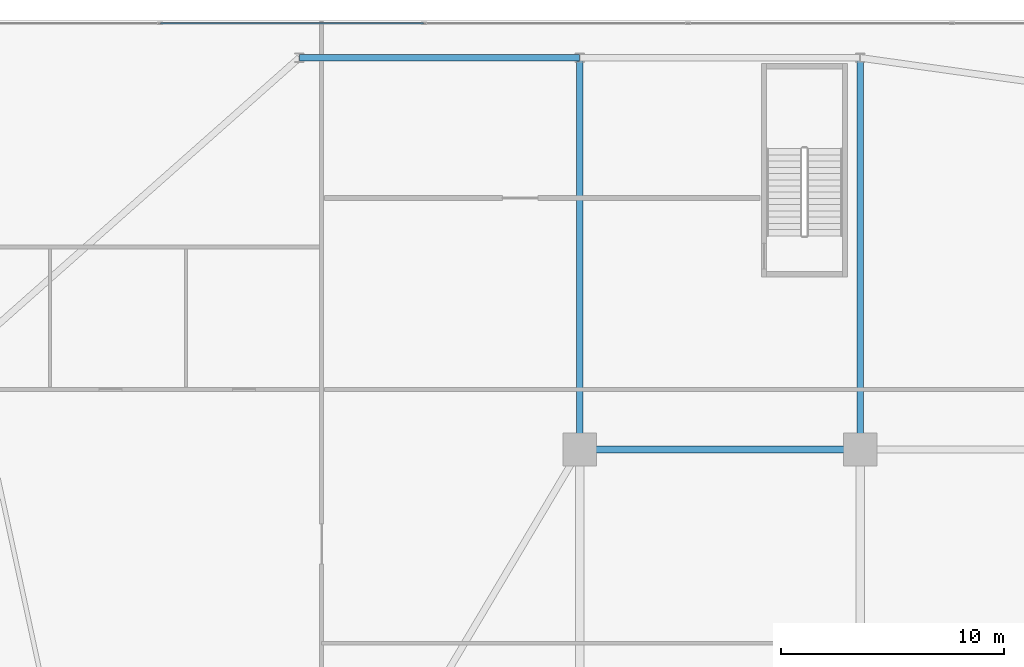
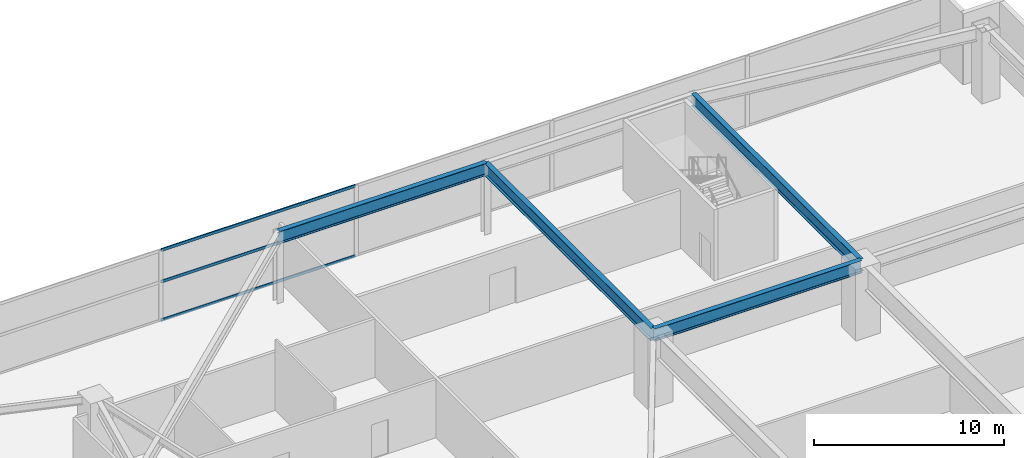
# One storey, part 18 of 30: 4 beams, 3 members, 1 element without a shape of its own.
"""IFC4 building model written with IfcOpenShell, lengths in metres."""

import ifcopenshell
import ifcopenshell.guid

model = None  # the IFC model being written
_history = None  # IfcOwnerHistory: only IFC2X3 demands one
_inside = {}  # id of a spatial element -> (the spatial element, [elements in it])
_under = {}  # id of a project, library or spatial element -> (it, [spatial elements below it])
_declared = {}  # id of a project -> (the project, [libraries it declares])
_typed = {}  # id of a type object -> (the type object, [elements of that type])
_made_of = {}  # id of a material, layer set ... -> (it, [elements and type objects made of it])


def new_model(schema):
    """Start an empty IFC model of exactly this schema.

    Asked for "IFC4X3", IfcOpenShell would pick the latest addendum, in which some entities
    have other attributes; the version numbers below select the first issue.
    IFC2X3 requires an IfcOwnerHistory on every rooted entity: one is made here for all.
    """
    global model, _history
    if schema == "IFC4X3":
        model = ifcopenshell.file(schema_version=(4, 3, 0, 0))
    else:
        model = ifcopenshell.file(schema=schema)
    _inside.clear()
    _under.clear()
    _declared.clear()
    _typed.clear()
    _made_of.clear()
    _history = None
    if model.schema == "IFC2X3":
        org = make("IfcOrganization", Name="unknown")
        user = make(
            "IfcPersonAndOrganization",
            ThePerson=make("IfcPerson", FamilyName="unknown"),
            TheOrganization=org,
        )
        app = make(
            "IfcApplication",
            ApplicationDeveloper=org,
            Version="unknown",
            ApplicationFullName="unknown",
            ApplicationIdentifier="unknown",
        )
        _history = make(
            "IfcOwnerHistory",
            OwningUser=user,
            OwningApplication=app,
            ChangeAction="ADDED",
            CreationDate=0,
        )
    return model


def make(cls, **values):
    """One entity of the class cls with the attributes given. An attribute that is None is left unset."""
    return model.create_entity(
        cls, **{name: value for name, value in values.items() if value is not None}
    )


def rooted(cls, **values):
    """An entity with a GlobalId (a new one), such as an element, a storey or a relation."""
    return make(cls, GlobalId=ifcopenshell.guid.new(), OwnerHistory=_history, **values)


def si_unit(unit_type, name, prefix=None):
    """IfcSIUnit, for example si_unit("LENGTHUNIT", "METRE", prefix="MILLI")."""
    return make("IfcSIUnit", UnitType=unit_type, Prefix=prefix, Name=name)


def assignment(units):
    """IfcUnitAssignment: the units of a project."""
    return None if units is None else make("IfcUnitAssignment", Units=units)


def point(xyz):
    """IfcCartesianPoint."""
    return None if xyz is None else make("IfcCartesianPoint", Coordinates=xyz)


def direction(xyz):
    """IfcDirection."""
    return None if xyz is None else make("IfcDirection", DirectionRatios=xyz)


def frame(location, z_axis=None, x_axis=None):
    """IfcAxis2Placement3D, a coordinate frame: its origin and axes. An axis left out is left unset."""
    return make(
        "IfcAxis2Placement3D",
        Location=point(location),
        Axis=direction(z_axis),
        RefDirection=direction(x_axis),
    )


def frame_2d(location, x_axis=None):
    """IfcAxis2Placement2D, a coordinate frame in the plane: its origin and x axis."""
    return make(
        "IfcAxis2Placement2D", Location=point(location), RefDirection=direction(x_axis)
    )


def origin():
    """The frame at (0, 0, 0) with its axes left unset."""
    return frame((0.0, 0.0, 0.0))


def origin_2d():
    """The frame at (0, 0) in the plane with its x axis left unset."""
    return frame_2d((0.0, 0.0))


def place(relative_to, where):
    """IfcLocalPlacement: puts the frame where relative to a parent placement (None: the world)."""
    return make(
        "IfcLocalPlacement", PlacementRelTo=relative_to, RelativePlacement=where
    )


def context(
    kind, dimensions, precision=None, world=None, true_north=None, identifier=None
):
    """IfcGeometricRepresentationContext, for example the 3D "Model" context."""
    return make(
        "IfcGeometricRepresentationContext",
        ContextIdentifier=identifier,
        ContextType=kind,
        CoordinateSpaceDimension=dimensions,
        Precision=precision,
        WorldCoordinateSystem=world,
        TrueNorth=true_north,
    )


def subcontext(parent, identifier, kind, view, scale=None):
    """IfcGeometricRepresentationSubContext, for example "Body" below "Model"."""
    return make(
        "IfcGeometricRepresentationSubContext",
        ContextIdentifier=identifier,
        ContextType=kind,
        ParentContext=parent,
        TargetScale=scale,
        TargetView=view,
    )


def project(units=None, contexts=None):
    """IfcProject with its units and contexts."""
    return rooted(
        "IfcProject",
        Name="project",
        RepresentationContexts=contexts,
        UnitsInContext=assignment(units),
    )


def spatial(cls, under=None, at=None, **own):
    """A site, building, storey or space (cls), placed at a placement, below another one or the project."""
    s = rooted(cls, ObjectPlacement=at, **own)
    if under is not None:
        _under.setdefault(under.id(), (under, []))[1].append(s)
    return s


def profile(cls, at=None, kind="AREA", **sizes):
    """A parametric profile (cls). Its sizes go by their IFC names, for example OverallWidth=200.0."""
    return make(cls, ProfileType=kind, Position=at, **sizes)


def hollow_rectangle(**sizes):
    """IfcRectangleHollowProfileDef."""
    return profile("IfcRectangleHollowProfileDef", **sizes)


def i_section(**sizes):
    """IfcIShapeProfileDef."""
    return profile("IfcIShapeProfileDef", **sizes)


def extrude(swept, where, along, depth):
    """IfcExtrudedAreaSolid: the profile swept, set in the frame where, extruded along a direction by depth."""
    return make(
        "IfcExtrudedAreaSolid",
        SweptArea=swept,
        Position=where,
        ExtrudedDirection=direction(along),
        Depth=depth,
    )


def shape(context_of_items, identifier, shape_type, items):
    """IfcShapeRepresentation: the items that make up one representation, for example the "Body"."""
    return make(
        "IfcShapeRepresentation",
        ContextOfItems=context_of_items,
        RepresentationIdentifier=identifier,
        RepresentationType=shape_type,
        Items=items,
    )


def material(Name=None, Category=None):
    """IfcMaterial."""
    return make("IfcMaterial", Name=Name, Category=Category)


def layer(
    of_material, thickness, ventilated=None, Name=None, Category=None, Priority=None
):
    """IfcMaterialLayer: one layer of a wall or slab, of a material (None: an air gap)."""
    return make(
        "IfcMaterialLayer",
        Material=of_material,
        LayerThickness=thickness,
        IsVentilated=ventilated,
        Name=Name,
        Category=Category,
        Priority=Priority,
    )


def layer_set(layers, Name=None):
    """IfcMaterialLayerSet."""
    return make("IfcMaterialLayerSet", MaterialLayers=layers, LayerSetName=Name)


def material_profile(
    of_material, cross_section, Name=None, Category=None, Priority=None
):
    """IfcMaterialProfile: a cross section and its material."""
    return make(
        "IfcMaterialProfile",
        Name=Name,
        Material=of_material,
        Profile=cross_section,
        Priority=Priority,
        Category=Category,
    )


def profile_set(profiles, Name=None, composite=None):
    """IfcMaterialProfileSet."""
    return make(
        "IfcMaterialProfileSet",
        Name=Name,
        MaterialProfiles=profiles,
        CompositeProfile=composite,
    )


def made_of(thing, what):
    """Note that an element or type object is made of a material, layer set ...; save() writes the relation."""
    if what is not None:
        _made_of.setdefault(what.id(), (what, []))[1].append(thing)
    return thing


def type_object(cls, material=None, **own):
    """A type object (cls), such as IfcWallType, which elements share."""
    return made_of(rooted(cls, **own), material)


def element(
    cls,
    number,
    at=None,
    inside=None,
    cuts=None,
    type_object=None,
    material=None,
    context=None,
    identifier="Body",
    shape_type=None,
    held_by="IfcProductDefinitionShape",
    body=None,
    shapes=None,
    **own,
):
    """One element of the class cls, such as IfcWall. Its Tag is "e" and its number.

    at: its placement. inside: the storey or other place that contains it. cuts: it is an
    opening in that element (IfcRelVoidsElement). A single representation is given by context,
    identifier, shape_type and body (its items); several are given by shapes. held_by: the class
    of the entity that holds the representations. save() writes the other relations.
    """
    e = rooted(cls, Tag="e%d" % number, ObjectPlacement=at, **own)
    if body is not None:
        shapes = [shape(context, identifier, shape_type, body)]
    if shapes is not None:
        e.Representation = make(held_by, Representations=shapes)
    if inside is not None:
        _inside.setdefault(inside.id(), (inside, []))[1].append(e)
    if cuts is not None:
        rooted(
            "IfcRelVoidsElement", RelatingBuildingElement=cuts, RelatedOpeningElement=e
        )
    if type_object is not None:
        _typed.setdefault(type_object.id(), (type_object, []))[1].append(e)
    return made_of(e, material)


def aggregate(whole, parts):
    """IfcRelAggregates: a whole, such as a stair, and the parts it consists of."""
    return rooted("IfcRelAggregates", RelatingObject=whole, RelatedObjects=parts)


def save(model, path):
    """Write the relations noted so far, then the file.

    IfcRelAggregates (storeys below a building ...), IfcRelContainedInSpatialStructure (elements
    in a storey), IfcRelDefinesByType, IfcRelAssociatesMaterial and IfcRelDeclares: one each for
    every whole, place, type object, material and project.
    """
    for whole, parts in _under.values():
        aggregate(whole, parts)
    for where, things in _inside.values():
        rooted(
            "IfcRelContainedInSpatialStructure",
            RelatedElements=things,
            RelatingStructure=where,
        )
    for kind, things in _typed.values():
        rooted("IfcRelDefinesByType", RelatedObjects=things, RelatingType=kind)
    for what, things in _made_of.values():
        rooted("IfcRelAssociatesMaterial", RelatedObjects=things, RelatingMaterial=what)
    for by, libraries in _declared.values():
        rooted("IfcRelDeclares", RelatingContext=by, RelatedDefinitions=libraries)
    model.write(path)


model = new_model("IFC4")

# Units and contexts
model_context = context("Model", 3, precision=1e-05, world=origin(), true_north=direction((0.0, 1.0)))
body_context = subcontext(model_context, "Body", "Model", "MODEL_VIEW")
ifc_project = project(units=[si_unit("LENGTHUNIT", "METRE"), si_unit("AREAUNIT", "SQUARE_METRE"), si_unit("VOLUMEUNIT", "CUBIC_METRE"), si_unit("PLANEANGLEUNIT", "RADIAN"), si_unit("MASSUNIT", "GRAM", prefix="KILO")], contexts=[model_context])

# Site, building, storey
site_placement = place(None, origin())
site = spatial("IfcSite", under=ifc_project, at=site_placement, CompositionType="ELEMENT")
building_placement = place(site_placement, origin())
building = spatial("IfcBuilding", under=site, at=building_placement, Name="Calvorn Quay Hotel", CompositionType="ELEMENT")
storey_placement = place(building_placement, frame((0.0, 0.0, 17.0)))
storey = spatial("IfcBuildingStorey", under=building, at=storey_placement, Name="L03", CompositionType="ELEMENT", Elevation=17.0)

# Beams
ifc_material_1 = material(Name="Steel Q390GJC", Category="steel")
ifc_material_profile_1 = material_profile(ifc_material_1, i_section(OverallWidth=0.300048828125, OverallDepth=0.800048828125, WebThickness=0.013916015625, FlangeThickness=0.02587890625, FilletRadius=0.02392578125, at=origin_2d()), Name="HN800x300x14x26")
ifc_profile_set_1 = profile_set([ifc_material_profile_1], Name="Steel Q390GJC")
beam_type = type_object("IfcBeamType", Name="BM-GIRD-POD", PredefinedType="BEAM", material=ifc_profile_set_1)
for number, where, z_axis, x_axis, name in (
    (1, (45.0, 36.199951171875, 4.14990234375), (1.0, 0.0, 0.0), (0.0, 1.0, 0.0), "Beam BG-L03-PN2"),
    (2, (32.39990234375, 53.800048828125, 4.14990234375), (1.0, 0.0, 0.0), (0.0, 1.0, 0.0), "Beam BG-L03-PN5"),
):
    element("IfcBeam", number, at=place(storey_placement, frame(where, z_axis=z_axis, x_axis=x_axis)), inside=storey, type_object=beam_type, Name=name, PredefinedType="BEAM", context=body_context, shape_type="SweptSolid", body=[
        extrude(i_section(OverallWidth=0.300048828125, OverallDepth=0.800048828125, WebThickness=0.013916015625, FlangeThickness=0.02587890625, FilletRadius=0.02392578125, at=origin_2d()), origin(), (0.0, 0.0, 1.0), 12.60009765625),
    ])
for number, where, z_axis, x_axis, name in (
    (3, (45.0, 36.199951171875, 4.14990234375), (0.0, 1.0, 0.0), (-1.0, 0.0, 0.0), "Beam BG-L03-PN8"),
    (4, (57.60009765625, 36.199951171875, 4.14990234375), (0.0, 1.0, 0.0), (-1.0, 0.0, 0.0), "Beam BG-L03-PN9"),
):
    element("IfcBeam", number, at=place(storey_placement, frame(where, z_axis=z_axis, x_axis=x_axis)), inside=storey, type_object=beam_type, Name=name, PredefinedType="BEAM", context=body_context, shape_type="SweptSolid", body=[
        extrude(i_section(OverallWidth=0.300048828125, OverallDepth=0.800048828125, WebThickness=0.013916015625, FlangeThickness=0.02587890625, FilletRadius=0.02392578125, at=origin_2d()), origin(), (0.0, 0.0, 1.0), 17.60009765625),
    ])

# Curtain wall, members
ifc_material_2 = material(Name="Pale Anodised Aluminium and Low-E Glass", Category="aluminium")
ifc_layer = layer(ifc_material_2, 0.219970703125)
ifc_layer_set = layer_set([ifc_layer], Name="CW-SYS-POD")
curtain_wall_type = type_object("IfcCurtainWallType", Name="CW-SYS-POD", PredefinedType="NOTDEFINED", material=ifc_layer_set)
curtain_wall_placement = place(storey_placement, origin())
curtain_wall = element("IfcCurtainWall", 5, at=curtain_wall_placement, inside=storey, type_object=curtain_wall_type, Name="Podium Curtain Wall L03-N1", PredefinedType="NOTDEFINED")
ifc_material_3 = material(Name="Pale Anodised Aluminium 6063-T6", Category="aluminium")
ifc_material_profile_2 = material_profile(ifc_material_3, hollow_rectangle(XDim=0.070068359375, YDim=0.179931640625, WallThickness=0.00390625, at=origin_2d()), Name="ALU-T180x70x4")
ifc_profile_set_2 = profile_set([ifc_material_profile_2], Name="Pale Anodised Aluminium 6063-T6")
member_type = type_object("IfcMemberType", Name="CW-SYS-POD-TRN", PredefinedType="USERDEFINED", material=ifc_profile_set_2)
member_1_placement = place(storey_placement, frame((26.163330078125, 55.35009765625, 0.030029296875), z_axis=(1.0, 0.0, 0.0), x_axis=(0.0, 1.0, 0.0)))
member_1 = element("IfcMember", 6, at=member_1_placement, type_object=member_type, Name="CW-L03-N1 transom 3.1", ObjectType="TRANSOM", PredefinedType="USERDEFINED", context=body_context, shape_type="SweptSolid", body=[
    extrude(hollow_rectangle(XDim=0.070068359375, YDim=0.179931640625, WallThickness=0.00390625, at=origin_2d()), origin(), (0.0, 0.0, 1.0), 11.806640625),
])
member_2_placement = place(storey_placement, frame((26.163330078125, 55.35009765625, 2.5), z_axis=(1.0, 0.0, 0.0), x_axis=(0.0, 1.0, 0.0)))
member_2 = element("IfcMember", 7, at=member_2_placement, type_object=member_type, Name="CW-L03-N1 transom 3.2", ObjectType="TRANSOM", PredefinedType="USERDEFINED", context=body_context, shape_type="SweptSolid", body=[
    extrude(hollow_rectangle(XDim=0.070068359375, YDim=0.179931640625, WallThickness=0.00390625, at=origin_2d()), origin(), (0.0, 0.0, 1.0), 11.806640625),
])
member_3_placement = place(storey_placement, frame((26.163330078125, 55.35009765625, 4.52001953125), z_axis=(1.0, 0.0, 0.0), x_axis=(0.0, 1.0, 0.0)))
member_3 = element("IfcMember", 8, at=member_3_placement, type_object=member_type, Name="CW-L03-N1 transom 3.3", ObjectType="TRANSOM", PredefinedType="USERDEFINED", context=body_context, shape_type="SweptSolid", body=[
    extrude(hollow_rectangle(XDim=0.070068359375, YDim=0.179931640625, WallThickness=0.00390625, at=origin_2d()), origin(), (0.0, 0.0, 1.0), 11.806640625),
])
aggregate(curtain_wall, [member_1, member_2, member_3])

save(model, "model.ifc")
